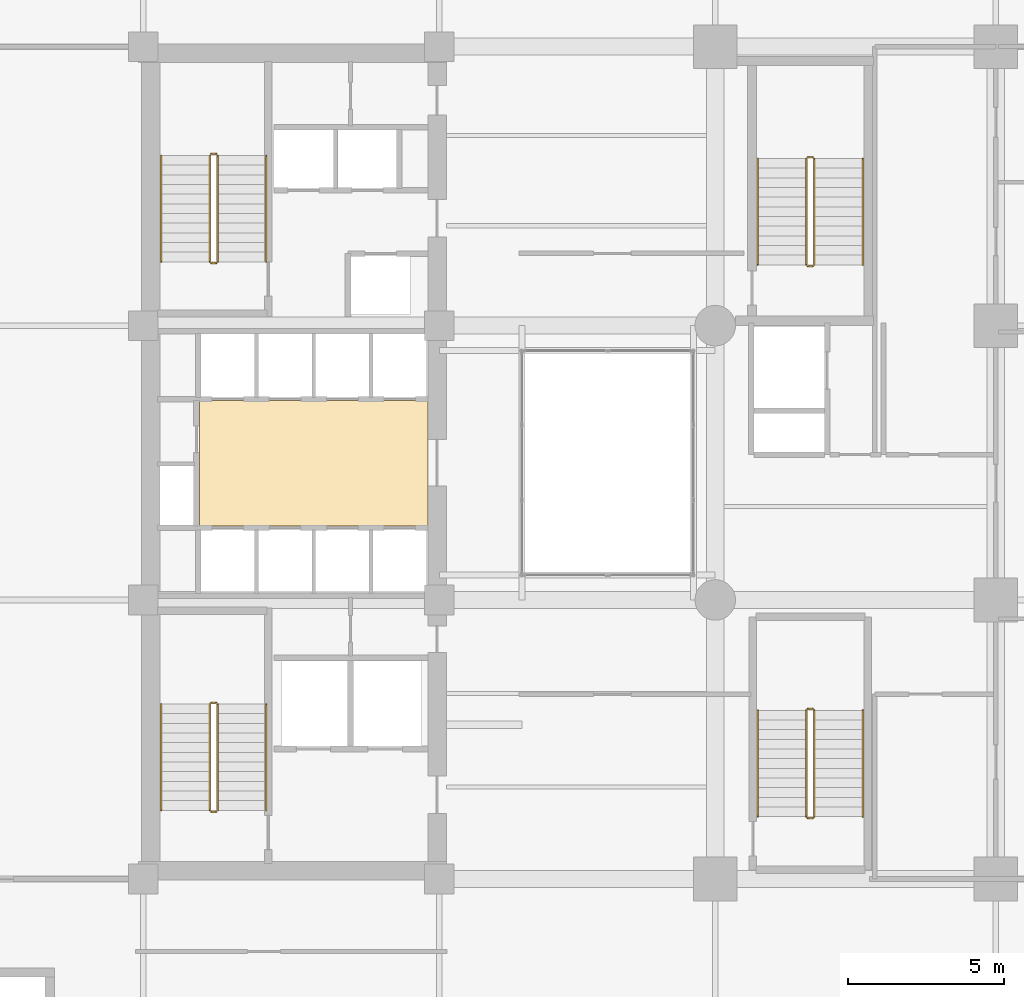
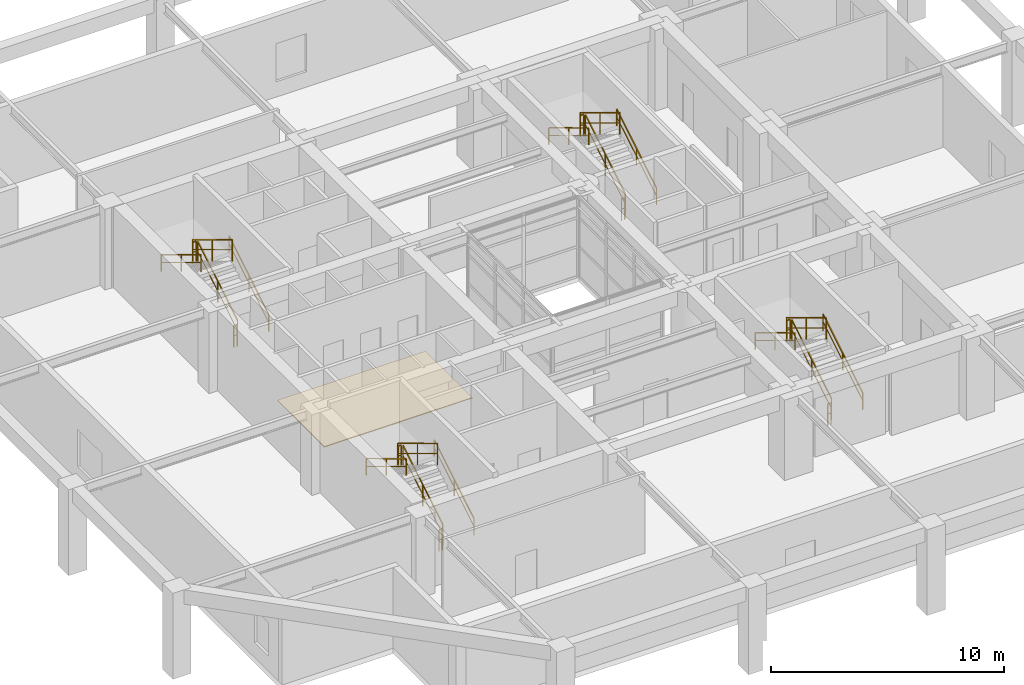
# One storey, part 10 of 10: 24 railings, 1 covering.
"""IFC4 building model written with IfcOpenShell, lengths in metres."""

from ifc_helpers import new_model, si_unit, direction, frame, origin, origin_2d, place, context, subcontext, project, spatial, polyline, rectangle, outline, extrude, material, layer, layer_set, type_object, element, save


model = new_model("IFC4")

# Units and contexts
model_context = context("Model", 3, precision=1e-05, world=origin(), true_north=direction((0.0, 1.0)))
body_context = subcontext(model_context, "Body", "Model", "MODEL_VIEW")
ifc_project = project(units=[si_unit("LENGTHUNIT", "METRE"), si_unit("AREAUNIT", "SQUARE_METRE"), si_unit("VOLUMEUNIT", "CUBIC_METRE"), si_unit("PLANEANGLEUNIT", "RADIAN"), si_unit("MASSUNIT", "GRAM", prefix="KILO")], contexts=[model_context])

# Site, building, storey
site_placement = place(None, origin())
site = spatial("IfcSite", under=ifc_project, at=site_placement, CompositionType="ELEMENT")
building_placement = place(site_placement, origin())
building = spatial("IfcBuilding", under=site, at=building_placement, Name="Kundavana Baori Tower", CompositionType="ELEMENT")
storey_placement = place(building_placement, frame((0.0, 0.0, 8.0)))
storey = spatial("IfcBuildingStorey", under=building, at=storey_placement, Name="L01", CompositionType="ELEMENT", Elevation=8.0)

# Covering
ifc_material_1 = material(Name="Honed Kota Stone and Terrazzo Flooring", Category="masonry")
ifc_layer = layer(ifc_material_1, 0.0400390625, Name="COV-FLR-TERR-40")
ifc_layer_set = layer_set([ifc_layer], Name="Honed Kota Stone and Terrazzo Flooring")
covering_type = type_object("IfcCoveringType", Name="COV-FLR-TERR-40", PredefinedType="FLOORING", material=ifc_layer_set)
covering_placement = place(storey_placement, origin())
element("IfcCovering", 1, at=covering_placement, inside=storey, type_object=covering_type, Name="L01 Core Lift Lobby Kota Stone Flooring", PredefinedType="FLOORING", context=body_context, shape_type="SweptSolid", body=[
    extrude(outline(polyline([(17.25, 26.580078125), (24.580078125, 26.580078125), (24.580078125, 30.60009765625), (17.25, 30.60009765625), (17.25, 26.580078125)])), origin(), (0.0, 0.0, 1.0), 0.0400390625),
])

# Railings
ifc_material_2 = material(Name="Architectural Patinated Bronze Metalwork")
railing_type_1 = type_object("IfcRailingType", Name="RL-GRD-1150", PredefinedType="GUARDRAIL", material=ifc_material_2)
railing_1_placement = place(storey_placement, frame((17.840087890625, 17.449951171875, 0.1875)))
element("IfcRailing", 2, at=railing_1_placement, inside=storey, type_object=railing_type_1, Name="L01 ST1 stair guard 1", PredefinedType="GUARDRAIL", context=body_context, shape_type="SweptSolid", body=[
    extrude(rectangle(XDim=0.048095703125, YDim=0.048095703125, at=origin_2d()), frame((0.0, 0.0, 1.1259765625), z_axis=(0.0, 0.855671421885, 0.517519485401), x_axis=(-1.0, 0.0, 0.0)), (0.0, 0.0, 1.0), 3.9853515625),
    extrude(rectangle(XDim=0.03125, YDim=0.03125, at=origin_2d()), frame((0.0, 0.0, 0.597900390625), z_axis=(0.0, 0.855671421885, 0.517519485401), x_axis=(-1.0, 0.0, 0.0)), (0.0, 0.0, 1.0), 3.9853515625),
    extrude(rectangle(XDim=0.0419921875, YDim=0.0419921875, at=origin_2d()), origin(), (0.0, 0.0, 1.0), 1.101806640625),
    extrude(rectangle(XDim=0.0419921875, YDim=0.0419921875, at=origin_2d()), frame((0.0, 1.705078125, 1.03125)), (0.0, 0.0, 1.0), 1.101806640625),
    extrude(rectangle(XDim=0.0419921875, YDim=0.0419921875, at=origin_2d()), frame((0.0, 3.41015625, 2.0625)), (0.0, 0.0, 1.0), 1.101806640625),
])
railing_2_placement = place(storey_placement, frame((17.7900390625, 20.909912109375, 2.25)))
element("IfcRailing", 3, at=railing_2_placement, inside=storey, type_object=railing_type_1, Name="L01 ST1 stair guard 2", PredefinedType="GUARDRAIL", context=body_context, shape_type="SweptSolid", body=[
    extrude(rectangle(XDim=0.048095703125, YDim=0.048095703125, at=origin_2d()), frame((0.0, 0.0, 1.1259765625), z_axis=(-1.0, 0.0, 0.0), x_axis=(0.0, -1.0, 0.0)), (0.0, 0.0, 1.0), 0.16015625),
    extrude(rectangle(XDim=0.03125, YDim=0.03125, at=origin_2d()), frame((0.0, 0.0, 0.597900390625), z_axis=(-1.0, 0.0, 0.0), x_axis=(0.0, -1.0, 0.0)), (0.0, 0.0, 1.0), 0.16015625),
    extrude(rectangle(XDim=0.0419921875, YDim=0.0419921875, at=origin_2d()), origin(), (0.0, 0.0, 1.0), 1.101806640625),
    extrude(rectangle(XDim=0.0419921875, YDim=0.0419921875, at=origin_2d()), frame((-0.16015625, 0.0, 0.0)), (0.0, 0.0, 1.0), 1.101806640625),
])
railing_3_placement = place(storey_placement, frame((17.580078125, 20.860107421875, 2.4375)))
element("IfcRailing", 4, at=railing_3_placement, inside=storey, type_object=railing_type_1, Name="L01 ST1 stair guard 3", PredefinedType="GUARDRAIL", context=body_context, shape_type="SweptSolid", body=[
    extrude(rectangle(XDim=0.048095703125, YDim=0.048095703125, at=origin_2d()), frame((0.0, 0.0, 1.1259765625), z_axis=(0.0, -0.855671421885, 0.517519485401), x_axis=(1.0, 0.0, 0.0)), (0.0, 0.0, 1.0), 3.9853515625),
    extrude(rectangle(XDim=0.03125, YDim=0.03125, at=origin_2d()), frame((0.0, 0.0, 0.597900390625), z_axis=(0.0, -0.855671421885, 0.517519485401), x_axis=(1.0, 0.0, 0.0)), (0.0, 0.0, 1.0), 3.9853515625),
    extrude(rectangle(XDim=0.0419921875, YDim=0.0419921875, at=origin_2d()), origin(), (0.0, 0.0, 1.0), 1.101806640625),
    extrude(rectangle(XDim=0.0419921875, YDim=0.0419921875, at=origin_2d()), frame((0.0, -1.705078125, 1.03125)), (0.0, 0.0, 1.0), 1.101806640625),
    extrude(rectangle(XDim=0.0419921875, YDim=0.0419921875, at=origin_2d()), frame((0.0, -3.41015625, 2.0625)), (0.0, 0.0, 1.0), 1.101806640625),
])
railing_4_placement = place(storey_placement, frame((17.7900390625, 17.39990234375, 0.0)))
element("IfcRailing", 5, at=railing_4_placement, inside=storey, type_object=railing_type_1, Name="L01 ST1 stair guard 4", PredefinedType="GUARDRAIL", context=body_context, shape_type="SweptSolid", body=[
    extrude(rectangle(XDim=0.048095703125, YDim=0.048095703125, at=origin_2d()), frame((0.0, 0.0, 1.1259765625), z_axis=(-1.0, 0.0, 0.0), x_axis=(0.0, -1.0, 0.0)), (0.0, 0.0, 1.0), 0.16015625),
    extrude(rectangle(XDim=0.03125, YDim=0.03125, at=origin_2d()), frame((0.0, 0.0, 0.597900390625), z_axis=(-1.0, 0.0, 0.0), x_axis=(0.0, -1.0, 0.0)), (0.0, 0.0, 1.0), 0.16015625),
    extrude(rectangle(XDim=0.0419921875, YDim=0.0419921875, at=origin_2d()), origin(), (0.0, 0.0, 1.0), 1.101806640625),
    extrude(rectangle(XDim=0.0419921875, YDim=0.0419921875, at=origin_2d()), frame((-0.16015625, 0.0, 0.0)), (0.0, 0.0, 1.0), 1.101806640625),
])
railing_5_placement = place(storey_placement, frame((17.840087890625, 35.050048828125, 0.1875)))
element("IfcRailing", 6, at=railing_5_placement, inside=storey, type_object=railing_type_1, Name="L01 ST2 stair guard 1", PredefinedType="GUARDRAIL", context=body_context, shape_type="SweptSolid", body=[
    extrude(rectangle(XDim=0.048095703125, YDim=0.048095703125, at=origin_2d()), frame((0.0, 0.0, 1.1259765625), z_axis=(0.0, 0.855655013707, 0.517546613861), x_axis=(-1.0, 0.0, 0.0)), (0.0, 0.0, 1.0), 3.985107421875),
    extrude(rectangle(XDim=0.03125, YDim=0.03125, at=origin_2d()), frame((0.0, 0.0, 0.597900390625), z_axis=(0.0, 0.855655013707, 0.517546613861), x_axis=(-1.0, 0.0, 0.0)), (0.0, 0.0, 1.0), 3.985107421875),
    extrude(rectangle(XDim=0.0419921875, YDim=0.0419921875, at=origin_2d()), origin(), (0.0, 0.0, 1.0), 1.101806640625),
    extrude(rectangle(XDim=0.0419921875, YDim=0.0419921875, at=origin_2d()), frame((0.0, 1.705078125, 1.03125)), (0.0, 0.0, 1.0), 1.101806640625),
    extrude(rectangle(XDim=0.0419921875, YDim=0.0419921875, at=origin_2d()), frame((0.0, 3.409912109375, 2.0625)), (0.0, 0.0, 1.0), 1.101806640625),
])
railing_6_placement = place(storey_placement, frame((17.7900390625, 38.510009765625, 2.25)))
element("IfcRailing", 7, at=railing_6_placement, inside=storey, type_object=railing_type_1, Name="L01 ST2 stair guard 2", PredefinedType="GUARDRAIL", context=body_context, shape_type="SweptSolid", body=[
    extrude(rectangle(XDim=0.048095703125, YDim=0.048095703125, at=origin_2d()), frame((0.0, 0.0, 1.1259765625), z_axis=(-1.0, 0.0, 0.0), x_axis=(0.0, -1.0, 0.0)), (0.0, 0.0, 1.0), 0.16015625),
    extrude(rectangle(XDim=0.03125, YDim=0.03125, at=origin_2d()), frame((0.0, 0.0, 0.597900390625), z_axis=(-1.0, 0.0, 0.0), x_axis=(0.0, -1.0, 0.0)), (0.0, 0.0, 1.0), 0.16015625),
    extrude(rectangle(XDim=0.0419921875, YDim=0.0419921875, at=origin_2d()), origin(), (0.0, 0.0, 1.0), 1.101806640625),
    extrude(rectangle(XDim=0.0419921875, YDim=0.0419921875, at=origin_2d()), frame((-0.16015625, 0.0, 0.0)), (0.0, 0.0, 1.0), 1.101806640625),
])
railing_7_placement = place(storey_placement, frame((17.580078125, 38.4599609375, 2.4375)))
element("IfcRailing", 8, at=railing_7_placement, inside=storey, type_object=railing_type_1, Name="L01 ST2 stair guard 3", PredefinedType="GUARDRAIL", context=body_context, shape_type="SweptSolid", body=[
    extrude(rectangle(XDim=0.048095703125, YDim=0.048095703125, at=origin_2d()), frame((0.0, 0.0, 1.1259765625), z_axis=(0.0, -0.855655013707, 0.517546613861), x_axis=(1.0, 0.0, 0.0)), (0.0, 0.0, 1.0), 3.985107421875),
    extrude(rectangle(XDim=0.03125, YDim=0.03125, at=origin_2d()), frame((0.0, 0.0, 0.597900390625), z_axis=(0.0, -0.855655013707, 0.517546613861), x_axis=(1.0, 0.0, 0.0)), (0.0, 0.0, 1.0), 3.985107421875),
    extrude(rectangle(XDim=0.0419921875, YDim=0.0419921875, at=origin_2d()), origin(), (0.0, 0.0, 1.0), 1.101806640625),
    extrude(rectangle(XDim=0.0419921875, YDim=0.0419921875, at=origin_2d()), frame((0.0, -1.705078125, 1.03125)), (0.0, 0.0, 1.0), 1.101806640625),
    extrude(rectangle(XDim=0.0419921875, YDim=0.0419921875, at=origin_2d()), frame((0.0, -3.409912109375, 2.0625)), (0.0, 0.0, 1.0), 1.101806640625),
])
railing_8_placement = place(storey_placement, frame((17.7900390625, 35.0, 0.0)))
element("IfcRailing", 9, at=railing_8_placement, inside=storey, type_object=railing_type_1, Name="L01 ST2 stair guard 4", PredefinedType="GUARDRAIL", context=body_context, shape_type="SweptSolid", body=[
    extrude(rectangle(XDim=0.048095703125, YDim=0.048095703125, at=origin_2d()), frame((0.0, 0.0, 1.1259765625), z_axis=(-1.0, 0.0, 0.0), x_axis=(0.0, -1.0, 0.0)), (0.0, 0.0, 1.0), 0.16015625),
    extrude(rectangle(XDim=0.03125, YDim=0.03125, at=origin_2d()), frame((0.0, 0.0, 0.597900390625), z_axis=(-1.0, 0.0, 0.0), x_axis=(0.0, -1.0, 0.0)), (0.0, 0.0, 1.0), 0.16015625),
    extrude(rectangle(XDim=0.0419921875, YDim=0.0419921875, at=origin_2d()), origin(), (0.0, 0.0, 1.0), 1.101806640625),
    extrude(rectangle(XDim=0.0419921875, YDim=0.0419921875, at=origin_2d()), frame((-0.16015625, 0.0, 0.0)), (0.0, 0.0, 1.0), 1.101806640625),
])
railing_9_placement = place(storey_placement, frame((36.97998046875, 34.949951171875, 0.1875)))
element("IfcRailing", 10, at=railing_9_placement, inside=storey, type_object=railing_type_1, Name="L01 ST3 stair guard 1", PredefinedType="GUARDRAIL", context=body_context, shape_type="SweptSolid", body=[
    extrude(rectangle(XDim=0.048095703125, YDim=0.048095703125, at=origin_2d()), frame((0.0, 0.0, 1.1259765625), z_axis=(0.0, 0.855671421885, 0.517519485401), x_axis=(-1.0, 0.0, 0.0)), (0.0, 0.0, 1.0), 3.9853515625),
    extrude(rectangle(XDim=0.03125, YDim=0.03125, at=origin_2d()), frame((0.0, 0.0, 0.597900390625), z_axis=(0.0, 0.855671421885, 0.517519485401), x_axis=(-1.0, 0.0, 0.0)), (0.0, 0.0, 1.0), 3.9853515625),
    extrude(rectangle(XDim=0.0419921875, YDim=0.0419921875, at=origin_2d()), origin(), (0.0, 0.0, 1.0), 1.101806640625),
    extrude(rectangle(XDim=0.0419921875, YDim=0.0419921875, at=origin_2d()), frame((0.0, 1.705078125, 1.03125)), (0.0, 0.0, 1.0), 1.101806640625),
    extrude(rectangle(XDim=0.0419921875, YDim=0.0419921875, at=origin_2d()), frame((0.0, 3.41015625, 2.0625)), (0.0, 0.0, 1.0), 1.101806640625),
])
railing_10_placement = place(storey_placement, frame((36.929931640625, 38.409912109375, 2.25)))
element("IfcRailing", 11, at=railing_10_placement, inside=storey, type_object=railing_type_1, Name="L01 ST3 stair guard 2", PredefinedType="GUARDRAIL", context=body_context, shape_type="SweptSolid", body=[
    extrude(rectangle(XDim=0.048095703125, YDim=0.048095703125, at=origin_2d()), frame((0.0, 0.0, 1.1259765625), z_axis=(-1.0, 0.0, 0.0), x_axis=(0.0, -1.0, 0.0)), (0.0, 0.0, 1.0), 0.159912109375),
    extrude(rectangle(XDim=0.03125, YDim=0.03125, at=origin_2d()), frame((0.0, 0.0, 0.597900390625), z_axis=(-1.0, 0.0, 0.0), x_axis=(0.0, -1.0, 0.0)), (0.0, 0.0, 1.0), 0.159912109375),
    extrude(rectangle(XDim=0.0419921875, YDim=0.0419921875, at=origin_2d()), origin(), (0.0, 0.0, 1.0), 1.101806640625),
    extrude(rectangle(XDim=0.0419921875, YDim=0.0419921875, at=origin_2d()), frame((-0.159912109375, 0.0, 0.0)), (0.0, 0.0, 1.0), 1.101806640625),
])
railing_11_placement = place(storey_placement, frame((36.719970703125, 38.360107421875, 2.4375)))
element("IfcRailing", 12, at=railing_11_placement, inside=storey, type_object=railing_type_1, Name="L01 ST3 stair guard 3", PredefinedType="GUARDRAIL", context=body_context, shape_type="SweptSolid", body=[
    extrude(rectangle(XDim=0.048095703125, YDim=0.048095703125, at=origin_2d()), frame((0.0, 0.0, 1.1259765625), z_axis=(0.0, -0.855671421885, 0.517519485401), x_axis=(1.0, 0.0, 0.0)), (0.0, 0.0, 1.0), 3.9853515625),
    extrude(rectangle(XDim=0.03125, YDim=0.03125, at=origin_2d()), frame((0.0, 0.0, 0.597900390625), z_axis=(0.0, -0.855671421885, 0.517519485401), x_axis=(1.0, 0.0, 0.0)), (0.0, 0.0, 1.0), 3.9853515625),
    extrude(rectangle(XDim=0.0419921875, YDim=0.0419921875, at=origin_2d()), origin(), (0.0, 0.0, 1.0), 1.101806640625),
    extrude(rectangle(XDim=0.0419921875, YDim=0.0419921875, at=origin_2d()), frame((0.0, -1.705078125, 1.03125)), (0.0, 0.0, 1.0), 1.101806640625),
    extrude(rectangle(XDim=0.0419921875, YDim=0.0419921875, at=origin_2d()), frame((0.0, -3.41015625, 2.0625)), (0.0, 0.0, 1.0), 1.101806640625),
])
railing_12_placement = place(storey_placement, frame((36.929931640625, 34.89990234375, 0.0)))
element("IfcRailing", 13, at=railing_12_placement, inside=storey, type_object=railing_type_1, Name="L01 ST3 stair guard 4", PredefinedType="GUARDRAIL", context=body_context, shape_type="SweptSolid", body=[
    extrude(rectangle(XDim=0.048095703125, YDim=0.048095703125, at=origin_2d()), frame((0.0, 0.0, 1.1259765625), z_axis=(-1.0, 0.0, 0.0), x_axis=(0.0, -1.0, 0.0)), (0.0, 0.0, 1.0), 0.159912109375),
    extrude(rectangle(XDim=0.03125, YDim=0.03125, at=origin_2d()), frame((0.0, 0.0, 0.597900390625), z_axis=(-1.0, 0.0, 0.0), x_axis=(0.0, -1.0, 0.0)), (0.0, 0.0, 1.0), 0.159912109375),
    extrude(rectangle(XDim=0.0419921875, YDim=0.0419921875, at=origin_2d()), origin(), (0.0, 0.0, 1.0), 1.101806640625),
    extrude(rectangle(XDim=0.0419921875, YDim=0.0419921875, at=origin_2d()), frame((-0.159912109375, 0.0, 0.0)), (0.0, 0.0, 1.0), 1.101806640625),
])
railing_13_placement = place(storey_placement, frame((36.97998046875, 17.25, 0.1875)))
element("IfcRailing", 14, at=railing_13_placement, inside=storey, type_object=railing_type_1, Name="L01 ST4 stair guard 1", PredefinedType="GUARDRAIL", context=body_context, shape_type="SweptSolid", body=[
    extrude(rectangle(XDim=0.048095703125, YDim=0.048095703125, at=origin_2d()), frame((0.0, 0.0, 1.1259765625), z_axis=(0.0, 0.855655013707, 0.517546613861), x_axis=(-1.0, 0.0, 0.0)), (0.0, 0.0, 1.0), 3.985107421875),
    extrude(rectangle(XDim=0.03125, YDim=0.03125, at=origin_2d()), frame((0.0, 0.0, 0.597900390625), z_axis=(0.0, 0.855655013707, 0.517546613861), x_axis=(-1.0, 0.0, 0.0)), (0.0, 0.0, 1.0), 3.985107421875),
    extrude(rectangle(XDim=0.0419921875, YDim=0.0419921875, at=origin_2d()), origin(), (0.0, 0.0, 1.0), 1.101806640625),
    extrude(rectangle(XDim=0.0419921875, YDim=0.0419921875, at=origin_2d()), frame((0.0, 1.705078125, 1.03125)), (0.0, 0.0, 1.0), 1.101806640625),
    extrude(rectangle(XDim=0.0419921875, YDim=0.0419921875, at=origin_2d()), frame((0.0, 3.409912109375, 2.0625)), (0.0, 0.0, 1.0), 1.101806640625),
])
railing_14_placement = place(storey_placement, frame((36.929931640625, 20.7099609375, 2.25)))
element("IfcRailing", 15, at=railing_14_placement, inside=storey, type_object=railing_type_1, Name="L01 ST4 stair guard 2", PredefinedType="GUARDRAIL", context=body_context, shape_type="SweptSolid", body=[
    extrude(rectangle(XDim=0.048095703125, YDim=0.048095703125, at=origin_2d()), frame((0.0, 0.0, 1.1259765625), z_axis=(-1.0, 0.0, 0.0), x_axis=(0.0, -1.0, 0.0)), (0.0, 0.0, 1.0), 0.159912109375),
    extrude(rectangle(XDim=0.03125, YDim=0.03125, at=origin_2d()), frame((0.0, 0.0, 0.597900390625), z_axis=(-1.0, 0.0, 0.0), x_axis=(0.0, -1.0, 0.0)), (0.0, 0.0, 1.0), 0.159912109375),
    extrude(rectangle(XDim=0.0419921875, YDim=0.0419921875, at=origin_2d()), origin(), (0.0, 0.0, 1.0), 1.101806640625),
    extrude(rectangle(XDim=0.0419921875, YDim=0.0419921875, at=origin_2d()), frame((-0.159912109375, 0.0, 0.0)), (0.0, 0.0, 1.0), 1.101806640625),
])
railing_15_placement = place(storey_placement, frame((36.719970703125, 20.659912109375, 2.4375)))
element("IfcRailing", 16, at=railing_15_placement, inside=storey, type_object=railing_type_1, Name="L01 ST4 stair guard 3", PredefinedType="GUARDRAIL", context=body_context, shape_type="SweptSolid", body=[
    extrude(rectangle(XDim=0.048095703125, YDim=0.048095703125, at=origin_2d()), frame((0.0, 0.0, 1.1259765625), z_axis=(0.0, -0.855655013707, 0.517546613861), x_axis=(1.0, 0.0, 0.0)), (0.0, 0.0, 1.0), 3.985107421875),
    extrude(rectangle(XDim=0.03125, YDim=0.03125, at=origin_2d()), frame((0.0, 0.0, 0.597900390625), z_axis=(0.0, -0.855655013707, 0.517546613861), x_axis=(1.0, 0.0, 0.0)), (0.0, 0.0, 1.0), 3.985107421875),
    extrude(rectangle(XDim=0.0419921875, YDim=0.0419921875, at=origin_2d()), origin(), (0.0, 0.0, 1.0), 1.101806640625),
    extrude(rectangle(XDim=0.0419921875, YDim=0.0419921875, at=origin_2d()), frame((0.0, -1.705078125, 1.03125)), (0.0, 0.0, 1.0), 1.101806640625),
    extrude(rectangle(XDim=0.0419921875, YDim=0.0419921875, at=origin_2d()), frame((0.0, -3.409912109375, 2.0625)), (0.0, 0.0, 1.0), 1.101806640625),
])
railing_16_placement = place(storey_placement, frame((36.929931640625, 17.199951171875, 0.0)))
element("IfcRailing", 17, at=railing_16_placement, inside=storey, type_object=railing_type_1, Name="L01 ST4 stair guard 4", PredefinedType="GUARDRAIL", context=body_context, shape_type="SweptSolid", body=[
    extrude(rectangle(XDim=0.048095703125, YDim=0.048095703125, at=origin_2d()), frame((0.0, 0.0, 1.1259765625), z_axis=(-1.0, 0.0, 0.0), x_axis=(0.0, -1.0, 0.0)), (0.0, 0.0, 1.0), 0.159912109375),
    extrude(rectangle(XDim=0.03125, YDim=0.03125, at=origin_2d()), frame((0.0, 0.0, 0.597900390625), z_axis=(-1.0, 0.0, 0.0), x_axis=(0.0, -1.0, 0.0)), (0.0, 0.0, 1.0), 0.159912109375),
    extrude(rectangle(XDim=0.0419921875, YDim=0.0419921875, at=origin_2d()), origin(), (0.0, 0.0, 1.0), 1.101806640625),
    extrude(rectangle(XDim=0.0419921875, YDim=0.0419921875, at=origin_2d()), frame((-0.159912109375, 0.0, 0.0)), (0.0, 0.0, 1.0), 1.101806640625),
])
ifc_material_3 = material(Name="Architectural Patinated Bronze Metalwork")
railing_type_2 = type_object("IfcRailingType", Name="RL-HND-920", PredefinedType="HANDRAIL", material=ifc_material_3)
railing_17_placement = place(storey_placement, frame((19.389892578125, 17.449951171875, 0.1875)))
element("IfcRailing", 18, at=railing_17_placement, inside=storey, type_object=railing_type_2, Name="L01 ST1 stair handrail 1", PredefinedType="HANDRAIL", context=body_context, shape_type="SweptSolid", body=[
    extrude(rectangle(XDim=0.048095703125, YDim=0.048095703125, at=origin_2d()), frame((0.0, 0.0, 0.8759765625), z_axis=(0.0, 0.855671421885, 0.517519485401), x_axis=(-1.0, 0.0, 0.0)), (0.0, 0.0, 1.0), 3.9853515625),
    extrude(rectangle(XDim=0.03125, YDim=0.03125, at=origin_2d()), frame((0.0, 0.0, 0.468017578125), z_axis=(0.0, 0.855671421885, 0.517519485401), x_axis=(-1.0, 0.0, 0.0)), (0.0, 0.0, 1.0), 3.9853515625),
    extrude(rectangle(XDim=0.0419921875, YDim=0.0419921875, at=origin_2d()), origin(), (0.0, 0.0, 1.0), 0.851806640625),
    extrude(rectangle(XDim=0.0419921875, YDim=0.0419921875, at=origin_2d()), frame((0.0, 1.705078125, 1.03125)), (0.0, 0.0, 1.0), 0.851806640625),
    extrude(rectangle(XDim=0.0419921875, YDim=0.0419921875, at=origin_2d()), frame((0.0, 3.41015625, 2.0625)), (0.0, 0.0, 1.0), 0.851806640625),
])
railing_18_placement = place(storey_placement, frame((16.030029296875, 20.860107421875, 2.4375)))
element("IfcRailing", 19, at=railing_18_placement, inside=storey, type_object=railing_type_2, Name="L01 ST1 stair handrail 2", PredefinedType="HANDRAIL", context=body_context, shape_type="SweptSolid", body=[
    extrude(rectangle(XDim=0.048095703125, YDim=0.048095703125, at=origin_2d()), frame((0.0, 0.0, 0.8759765625), z_axis=(0.0, -0.855671421885, 0.517519485401), x_axis=(1.0, 0.0, 0.0)), (0.0, 0.0, 1.0), 3.9853515625),
    extrude(rectangle(XDim=0.03125, YDim=0.03125, at=origin_2d()), frame((0.0, 0.0, 0.468017578125), z_axis=(0.0, -0.855671421885, 0.517519485401), x_axis=(1.0, 0.0, 0.0)), (0.0, 0.0, 1.0), 3.9853515625),
    extrude(rectangle(XDim=0.0419921875, YDim=0.0419921875, at=origin_2d()), origin(), (0.0, 0.0, 1.0), 0.851806640625),
    extrude(rectangle(XDim=0.0419921875, YDim=0.0419921875, at=origin_2d()), frame((0.0, -1.705078125, 1.03125)), (0.0, 0.0, 1.0), 0.851806640625),
    extrude(rectangle(XDim=0.0419921875, YDim=0.0419921875, at=origin_2d()), frame((0.0, -3.41015625, 2.0625)), (0.0, 0.0, 1.0), 0.851806640625),
])
railing_19_placement = place(storey_placement, frame((19.389892578125, 35.050048828125, 0.1875)))
element("IfcRailing", 20, at=railing_19_placement, inside=storey, type_object=railing_type_2, Name="L01 ST2 stair handrail 1", PredefinedType="HANDRAIL", context=body_context, shape_type="SweptSolid", body=[
    extrude(rectangle(XDim=0.048095703125, YDim=0.048095703125, at=origin_2d()), frame((0.0, 0.0, 0.8759765625), z_axis=(0.0, 0.855655013707, 0.517546613861), x_axis=(-1.0, 0.0, 0.0)), (0.0, 0.0, 1.0), 3.985107421875),
    extrude(rectangle(XDim=0.03125, YDim=0.03125, at=origin_2d()), frame((0.0, 0.0, 0.468017578125), z_axis=(0.0, 0.855655013707, 0.517546613861), x_axis=(-1.0, 0.0, 0.0)), (0.0, 0.0, 1.0), 3.985107421875),
    extrude(rectangle(XDim=0.0419921875, YDim=0.0419921875, at=origin_2d()), origin(), (0.0, 0.0, 1.0), 0.851806640625),
    extrude(rectangle(XDim=0.0419921875, YDim=0.0419921875, at=origin_2d()), frame((0.0, 1.705078125, 1.03125)), (0.0, 0.0, 1.0), 0.851806640625),
    extrude(rectangle(XDim=0.0419921875, YDim=0.0419921875, at=origin_2d()), frame((0.0, 3.409912109375, 2.0625)), (0.0, 0.0, 1.0), 0.851806640625),
])
railing_20_placement = place(storey_placement, frame((16.030029296875, 38.4599609375, 2.4375)))
element("IfcRailing", 21, at=railing_20_placement, inside=storey, type_object=railing_type_2, Name="L01 ST2 stair handrail 2", PredefinedType="HANDRAIL", context=body_context, shape_type="SweptSolid", body=[
    extrude(rectangle(XDim=0.048095703125, YDim=0.048095703125, at=origin_2d()), frame((0.0, 0.0, 0.8759765625), z_axis=(0.0, -0.855655013707, 0.517546613861), x_axis=(1.0, 0.0, 0.0)), (0.0, 0.0, 1.0), 3.985107421875),
    extrude(rectangle(XDim=0.03125, YDim=0.03125, at=origin_2d()), frame((0.0, 0.0, 0.468017578125), z_axis=(0.0, -0.855655013707, 0.517546613861), x_axis=(1.0, 0.0, 0.0)), (0.0, 0.0, 1.0), 3.985107421875),
    extrude(rectangle(XDim=0.0419921875, YDim=0.0419921875, at=origin_2d()), origin(), (0.0, 0.0, 1.0), 0.851806640625),
    extrude(rectangle(XDim=0.0419921875, YDim=0.0419921875, at=origin_2d()), frame((0.0, -1.705078125, 1.03125)), (0.0, 0.0, 1.0), 0.851806640625),
    extrude(rectangle(XDim=0.0419921875, YDim=0.0419921875, at=origin_2d()), frame((0.0, -3.409912109375, 2.0625)), (0.0, 0.0, 1.0), 0.851806640625),
])
railing_21_placement = place(storey_placement, frame((38.530029296875, 34.949951171875, 0.1875)))
element("IfcRailing", 22, at=railing_21_placement, inside=storey, type_object=railing_type_2, Name="L01 ST3 stair handrail 1", PredefinedType="HANDRAIL", context=body_context, shape_type="SweptSolid", body=[
    extrude(rectangle(XDim=0.048095703125, YDim=0.048095703125, at=origin_2d()), frame((0.0, 0.0, 0.8759765625), z_axis=(0.0, 0.855671421885, 0.517519485401), x_axis=(-1.0, 0.0, 0.0)), (0.0, 0.0, 1.0), 3.9853515625),
    extrude(rectangle(XDim=0.03125, YDim=0.03125, at=origin_2d()), frame((0.0, 0.0, 0.468017578125), z_axis=(0.0, 0.855671421885, 0.517519485401), x_axis=(-1.0, 0.0, 0.0)), (0.0, 0.0, 1.0), 3.9853515625),
    extrude(rectangle(XDim=0.0419921875, YDim=0.0419921875, at=origin_2d()), origin(), (0.0, 0.0, 1.0), 0.851806640625),
    extrude(rectangle(XDim=0.0419921875, YDim=0.0419921875, at=origin_2d()), frame((0.0, 1.705078125, 1.03125)), (0.0, 0.0, 1.0), 0.851806640625),
    extrude(rectangle(XDim=0.0419921875, YDim=0.0419921875, at=origin_2d()), frame((0.0, 3.41015625, 2.0625)), (0.0, 0.0, 1.0), 0.851806640625),
])
railing_22_placement = place(storey_placement, frame((35.169921875, 38.360107421875, 2.4375)))
element("IfcRailing", 23, at=railing_22_placement, inside=storey, type_object=railing_type_2, Name="L01 ST3 stair handrail 2", PredefinedType="HANDRAIL", context=body_context, shape_type="SweptSolid", body=[
    extrude(rectangle(XDim=0.048095703125, YDim=0.048095703125, at=origin_2d()), frame((0.0, 0.0, 0.8759765625), z_axis=(0.0, -0.855671421885, 0.517519485401), x_axis=(1.0, 0.0, 0.0)), (0.0, 0.0, 1.0), 3.9853515625),
    extrude(rectangle(XDim=0.03125, YDim=0.03125, at=origin_2d()), frame((0.0, 0.0, 0.468017578125), z_axis=(0.0, -0.855671421885, 0.517519485401), x_axis=(1.0, 0.0, 0.0)), (0.0, 0.0, 1.0), 3.9853515625),
    extrude(rectangle(XDim=0.0419921875, YDim=0.0419921875, at=origin_2d()), origin(), (0.0, 0.0, 1.0), 0.851806640625),
    extrude(rectangle(XDim=0.0419921875, YDim=0.0419921875, at=origin_2d()), frame((0.0, -1.705078125, 1.03125)), (0.0, 0.0, 1.0), 0.851806640625),
    extrude(rectangle(XDim=0.0419921875, YDim=0.0419921875, at=origin_2d()), frame((0.0, -3.41015625, 2.0625)), (0.0, 0.0, 1.0), 0.851806640625),
])
railing_23_placement = place(storey_placement, frame((38.530029296875, 17.25, 0.1875)))
element("IfcRailing", 24, at=railing_23_placement, inside=storey, type_object=railing_type_2, Name="L01 ST4 stair handrail 1", PredefinedType="HANDRAIL", context=body_context, shape_type="SweptSolid", body=[
    extrude(rectangle(XDim=0.048095703125, YDim=0.048095703125, at=origin_2d()), frame((0.0, 0.0, 0.8759765625), z_axis=(0.0, 0.855655013707, 0.517546613861), x_axis=(-1.0, 0.0, 0.0)), (0.0, 0.0, 1.0), 3.985107421875),
    extrude(rectangle(XDim=0.03125, YDim=0.03125, at=origin_2d()), frame((0.0, 0.0, 0.468017578125), z_axis=(0.0, 0.855655013707, 0.517546613861), x_axis=(-1.0, 0.0, 0.0)), (0.0, 0.0, 1.0), 3.985107421875),
    extrude(rectangle(XDim=0.0419921875, YDim=0.0419921875, at=origin_2d()), origin(), (0.0, 0.0, 1.0), 0.851806640625),
    extrude(rectangle(XDim=0.0419921875, YDim=0.0419921875, at=origin_2d()), frame((0.0, 1.705078125, 1.03125)), (0.0, 0.0, 1.0), 0.851806640625),
    extrude(rectangle(XDim=0.0419921875, YDim=0.0419921875, at=origin_2d()), frame((0.0, 3.409912109375, 2.0625)), (0.0, 0.0, 1.0), 0.851806640625),
])
railing_24_placement = place(storey_placement, frame((35.169921875, 20.659912109375, 2.4375)))
element("IfcRailing", 25, at=railing_24_placement, inside=storey, type_object=railing_type_2, Name="L01 ST4 stair handrail 2", PredefinedType="HANDRAIL", context=body_context, shape_type="SweptSolid", body=[
    extrude(rectangle(XDim=0.048095703125, YDim=0.048095703125, at=origin_2d()), frame((0.0, 0.0, 0.8759765625), z_axis=(0.0, -0.855655013707, 0.517546613861), x_axis=(1.0, 0.0, 0.0)), (0.0, 0.0, 1.0), 3.985107421875),
    extrude(rectangle(XDim=0.03125, YDim=0.03125, at=origin_2d()), frame((0.0, 0.0, 0.468017578125), z_axis=(0.0, -0.855655013707, 0.517546613861), x_axis=(1.0, 0.0, 0.0)), (0.0, 0.0, 1.0), 3.985107421875),
    extrude(rectangle(XDim=0.0419921875, YDim=0.0419921875, at=origin_2d()), origin(), (0.0, 0.0, 1.0), 0.851806640625),
    extrude(rectangle(XDim=0.0419921875, YDim=0.0419921875, at=origin_2d()), frame((0.0, -1.705078125, 1.03125)), (0.0, 0.0, 1.0), 0.851806640625),
    extrude(rectangle(XDim=0.0419921875, YDim=0.0419921875, at=origin_2d()), frame((0.0, -3.409912109375, 2.0625)), (0.0, 0.0, 1.0), 0.851806640625),
])

save(model, "model.ifc")
